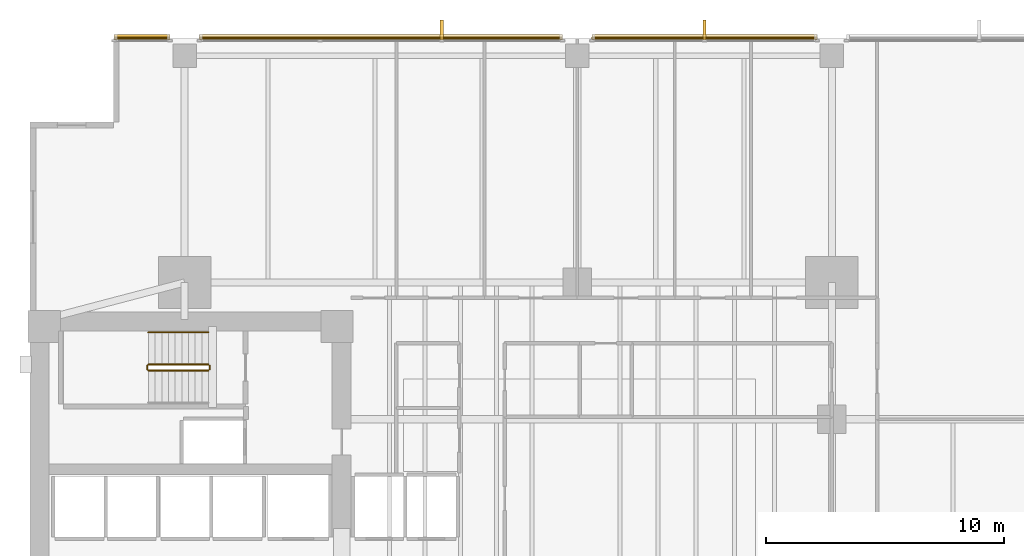
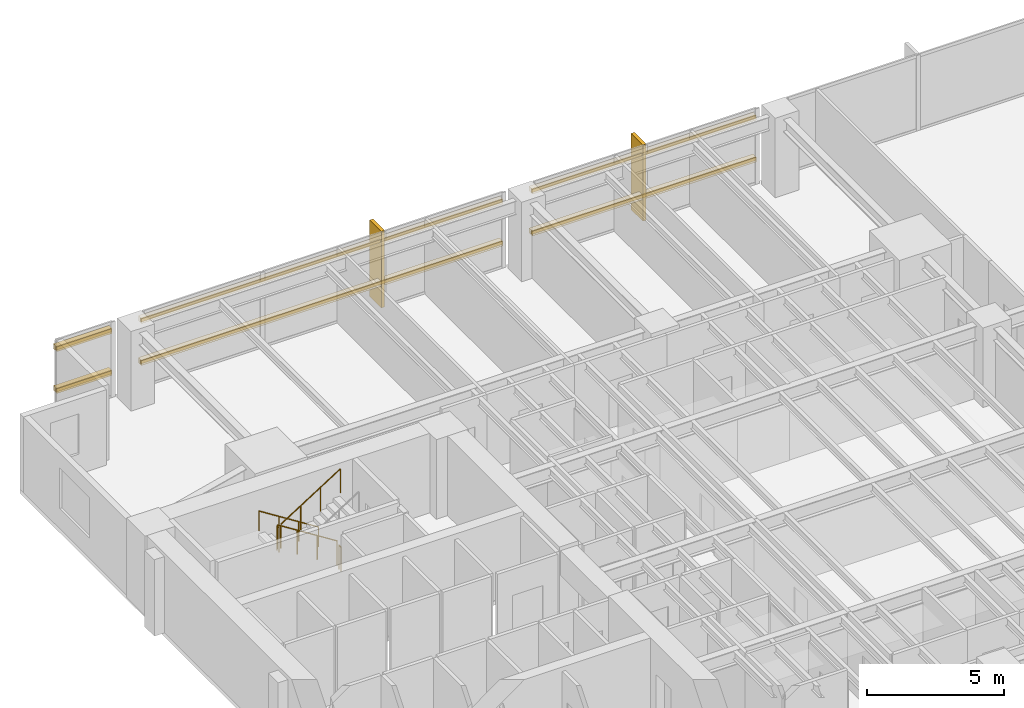
# One storey, part 14 of 15: 8 coverings, 6 shading devices, 5 railings.
"""IFC4 building model written with IfcOpenShell, lengths in metres."""

from ifc_helpers import new_model, si_unit, direction, frame, origin, origin_2d, place, context, subcontext, project, spatial, polyline, rectangle, circle, outline, extrude, material, layer, layer_set, material_profile, profile_set, type_object, element, save


model = new_model("IFC4")

# Units and contexts
model_context = context("Model", 3, precision=1e-05, world=origin(), true_north=direction((0.0, 1.0)))
body_context = subcontext(model_context, "Body", "Model", "MODEL_VIEW")
ifc_project = project(units=[si_unit("LENGTHUNIT", "METRE"), si_unit("AREAUNIT", "SQUARE_METRE"), si_unit("VOLUMEUNIT", "CUBIC_METRE"), si_unit("PLANEANGLEUNIT", "RADIAN"), si_unit("MASSUNIT", "GRAM", prefix="KILO")], contexts=[model_context])

# Site, building, storey
site_placement = place(None, origin())
site = spatial("IfcSite", under=ifc_project, at=site_placement, CompositionType="ELEMENT")
building_placement = place(site_placement, origin())
building = spatial("IfcBuilding", under=site, at=building_placement, Name="Kinhvarn Gate Tower", CompositionType="ELEMENT")
storey_placement = place(building_placement, frame((0.0, 0.0, 50.449951171875)))
storey = spatial("IfcBuildingStorey", under=building, at=storey_placement, Name="L12", CompositionType="ELEMENT", Elevation=50.449951171875)

# Coverings
ifc_material_1 = material(Name="Fired architectural terracotta", Category="masonry")
ifc_layer_1 = layer(ifc_material_1, 0.239990234375)
ifc_layer_set_1 = layer_set([ifc_layer_1], Name="Fired architectural terracotta")
covering_type_1 = type_object("IfcCoveringType", Name="COV-BAG-220", PredefinedType="CLADDING", material=ifc_layer_set_1)
covering_1_placement = place(storey_placement, frame((0.0, 0.0, 0.93994140625)))
element("IfcCovering", 1, at=covering_1_placement, inside=storey, type_object=covering_type_1, Name="Terracotta Horizontal Sunscreen Band TBG-220 (L12)", PredefinedType="CLADDING", context=body_context, shape_type="SweptSolid", body=[
    extrude(outline(polyline([(37.580078125, 47.93994140625), (28.1201171875, 47.93994140625), (28.1201171875, 48.179931640625), (37.580078125, 48.179931640625), (37.580078125, 47.93994140625)])), origin(), (0.0, 0.0, 1.0), 0.22021484375),
])
covering_2_placement = place(storey_placement, frame((0.0, 0.0, 2.81005859375)))
element("IfcCovering", 2, at=covering_2_placement, inside=storey, type_object=covering_type_1, Name="Terracotta Horizontal Sunscreen Band TBG-220 (L12)", PredefinedType="CLADDING", context=body_context, shape_type="SweptSolid", body=[
    extrude(outline(polyline([(37.580078125, 47.93994140625), (28.1201171875, 47.93994140625), (28.1201171875, 48.179931640625), (37.580078125, 48.179931640625), (37.580078125, 47.93994140625)])), origin(), (0.0, 0.0, 1.0), 0.219970703125),
])
covering_3_placement = place(storey_placement, frame((0.0, 0.0, 0.93994140625)))
element("IfcCovering", 3, at=covering_3_placement, inside=storey, type_object=covering_type_1, Name="Terracotta Horizontal Sunscreen Band TBG-220 (L12)", PredefinedType="CLADDING", context=body_context, shape_type="SweptSolid", body=[
    extrude(outline(polyline([(26.8798828125, 47.93994140625), (11.6201171875, 47.93994140625), (11.6201171875, 48.179931640625), (26.8798828125, 48.179931640625), (26.8798828125, 47.93994140625)])), origin(), (0.0, 0.0, 1.0), 0.22021484375),
])
covering_4_placement = place(storey_placement, frame((0.0, 0.0, 2.81005859375)))
element("IfcCovering", 4, at=covering_4_placement, inside=storey, type_object=covering_type_1, Name="Terracotta Horizontal Sunscreen Band TBG-220 (L12)", PredefinedType="CLADDING", context=body_context, shape_type="SweptSolid", body=[
    extrude(outline(polyline([(26.8798828125, 47.93994140625), (11.6201171875, 47.93994140625), (11.6201171875, 48.179931640625), (26.8798828125, 48.179931640625), (26.8798828125, 47.93994140625)])), origin(), (0.0, 0.0, 1.0), 0.219970703125),
])
covering_5_placement = place(storey_placement, frame((0.0, 0.0, 0.93994140625)))
element("IfcCovering", 5, at=covering_5_placement, inside=storey, type_object=covering_type_1, Name="Terracotta Horizontal Sunscreen Band TBG-220 (L12)", PredefinedType="CLADDING", context=body_context, shape_type="SweptSolid", body=[
    extrude(outline(polyline([(10.3798828125, 47.93994140625), (8.0400390625, 47.93994140625), (8.0400390625, 48.179931640625), (10.3798828125, 48.179931640625), (10.3798828125, 47.93994140625)])), origin(), (0.0, 0.0, 1.0), 0.22021484375),
])
covering_6_placement = place(storey_placement, frame((0.0, 0.0, 2.81005859375)))
element("IfcCovering", 6, at=covering_6_placement, inside=storey, type_object=covering_type_1, Name="Terracotta Horizontal Sunscreen Band TBG-220 (L12)", PredefinedType="CLADDING", context=body_context, shape_type="SweptSolid", body=[
    extrude(outline(polyline([(10.3798828125, 47.93994140625), (8.0400390625, 47.93994140625), (8.0400390625, 48.179931640625), (10.3798828125, 48.179931640625), (10.3798828125, 47.93994140625)])), origin(), (0.0, 0.0, 1.0), 0.219970703125),
])
ifc_layer_2 = layer(ifc_material_1, 0.139892578125)
ifc_layer_set_2 = layer_set([ifc_layer_2], Name="Fired architectural terracotta")
covering_type_2 = type_object("IfcCoveringType", Name="COV-FIN-850", PredefinedType="CLADDING", material=ifc_layer_set_2)
covering_7_placement = place(storey_placement, frame((0.0, 0.0, -0.02001953125)))
element("IfcCovering", 7, at=covering_7_placement, inside=storey, type_object=covering_type_2, Name="Vertical Terracotta Expressive Fin TFN-850 (L12)", PredefinedType="CLADDING", context=body_context, shape_type="SweptSolid", body=[
    extrude(outline(polyline([(32.919921875, 47.929931640625), (32.780029296875, 47.929931640625), (32.780029296875, 48.780029296875), (32.919921875, 48.780029296875), (32.919921875, 47.929931640625)])), origin(), (0.0, 0.0, 1.0), 3.41015625),
])
covering_8_placement = place(storey_placement, frame((0.0, 0.0, -0.02001953125)))
element("IfcCovering", 8, at=covering_8_placement, inside=storey, type_object=covering_type_2, Name="Vertical Terracotta Expressive Fin TFN-850 (L12)", PredefinedType="CLADDING", context=body_context, shape_type="SweptSolid", body=[
    extrude(outline(polyline([(21.876708984375, 47.929931640625), (21.73681640625, 47.929931640625), (21.73681640625, 48.780029296875), (21.876708984375, 48.780029296875), (21.876708984375, 47.929931640625)])), origin(), (0.0, 0.0, 1.0), 3.41015625),
])

# Railings
ifc_material_2 = material(Name="Steel S355", Category="steel")
railing_type_1 = type_object("IfcRailingType", Name="RL-ST-GRD", PredefinedType="BALUSTRADE", material=ifc_material_2)
railing_1_placement = place(storey_placement, frame((12.0, 34.300048828125, 0.177490234375)))
element("IfcRailing", 9, at=railing_1_placement, inside=storey, type_object=railing_type_1, Name="L12 ST2 stair guard 1", PredefinedType="BALUSTRADE", context=body_context, shape_type="SweptSolid", body=[
    extrude(circle(Radius=0.02392578125, at=origin_2d()), frame((0.0, 0.0, 1.076171875), z_axis=(-0.84456994832, 0.0, 0.535445237532), x_axis=(0.0, -1.0, 0.0)), (0.0, 0.0, 1.0), 2.98388671875),
    extrude(circle(Radius=0.02099609375, at=origin_2d()), origin(), (0.0, 0.0, 1.0), 1.052001953125),
    extrude(circle(Radius=0.02099609375, at=origin_2d()), frame((-0.840087890625, 0.0, 0.532470703125)), (0.0, 0.0, 1.0), 1.052001953125),
    extrude(circle(Radius=0.02099609375, at=origin_2d()), frame((-1.679931640625, 0.0, 1.065185546875)), (0.0, 0.0, 1.0), 1.052001953125),
    extrude(circle(Radius=0.02099609375, at=origin_2d()), frame((-2.52001953125, 0.0, 1.59765625)), (0.0, 0.0, 1.0), 1.052001953125),
])
railing_2_placement = place(storey_placement, frame((9.429931640625, 34.25, 1.775146484375)))
element("IfcRailing", 10, at=railing_2_placement, inside=storey, type_object=railing_type_1, Name="L12 ST2 stair guard 2", PredefinedType="BALUSTRADE", context=body_context, shape_type="SweptSolid", body=[
    extrude(circle(Radius=0.02392578125, at=origin_2d()), frame((0.0, 0.0, 1.076171875), z_axis=(0.0, -1.0, 0.0), x_axis=(1.0, 0.0, 0.0)), (0.0, 0.0, 1.0), 0.14990234375),
    extrude(circle(Radius=0.02099609375, at=origin_2d()), origin(), (0.0, 0.0, 1.0), 1.052001953125),
    extrude(circle(Radius=0.02099609375, at=origin_2d()), frame((0.0, -0.14990234375, 0.0)), (0.0, 0.0, 1.0), 1.052001953125),
])
railing_3_placement = place(storey_placement, frame((9.47998046875, 34.050048828125, 1.95263671875)))
element("IfcRailing", 11, at=railing_3_placement, inside=storey, type_object=railing_type_1, Name="L12 ST2 stair guard 3", PredefinedType="BALUSTRADE", context=body_context, shape_type="SweptSolid", body=[
    extrude(circle(Radius=0.02392578125, at=origin_2d()), frame((0.0, 0.0, 1.076171875), z_axis=(0.84460694969, 0.0, 0.535386869969), x_axis=(0.0, 1.0, 0.0)), (0.0, 0.0, 1.0), 2.983642578125),
    extrude(circle(Radius=0.02099609375, at=origin_2d()), origin(), (0.0, 0.0, 1.0), 1.052001953125),
    extrude(circle(Radius=0.02099609375, at=origin_2d()), frame((0.840087890625, 0.0, 0.532470703125)), (0.0, 0.0, 1.0), 1.052001953125),
    extrude(circle(Radius=0.02099609375, at=origin_2d()), frame((1.679931640625, 0.0, 1.06494140625)), (0.0, 0.0, 1.0), 1.052001953125),
    extrude(circle(Radius=0.02099609375, at=origin_2d()), frame((2.52001953125, 0.0, 1.597412109375)), (0.0, 0.0, 1.0), 1.052001953125),
])
railing_4_placement = place(storey_placement, frame((12.050048828125, 34.25, 0.0)))
element("IfcRailing", 12, at=railing_4_placement, inside=storey, type_object=railing_type_1, Name="L12 ST2 stair guard 4", PredefinedType="BALUSTRADE", context=body_context, shape_type="SweptSolid", body=[
    extrude(circle(Radius=0.02392578125, at=origin_2d()), frame((0.0, 0.0, 1.076171875), z_axis=(0.0, -1.0, 0.0), x_axis=(1.0, 0.0, 0.0)), (0.0, 0.0, 1.0), 0.14990234375),
    extrude(circle(Radius=0.02099609375, at=origin_2d()), origin(), (0.0, 0.0, 1.0), 1.052001953125),
    extrude(circle(Radius=0.02099609375, at=origin_2d()), frame((0.0, -0.14990234375, 0.0)), (0.0, 0.0, 1.0), 1.052001953125),
])
railing_type_2 = type_object("IfcRailingType", Name="RL-ST-HND", PredefinedType="HANDRAIL", material=ifc_material_2)
railing_5_placement = place(storey_placement, frame((12.0, 35.64990234375, 0.177490234375)))
element("IfcRailing", 13, at=railing_5_placement, inside=storey, type_object=railing_type_2, Name="L12 ST2 stair handrail 1", PredefinedType="HANDRAIL", context=body_context, shape_type="SweptSolid", body=[
    extrude(circle(Radius=0.02392578125, at=origin_2d()), frame((0.0, 0.0, 0.8759765625), z_axis=(-0.84456994832, 0.0, 0.535445237532), x_axis=(0.0, -1.0, 0.0)), (0.0, 0.0, 1.0), 2.98388671875),
    extrude(circle(Radius=0.02099609375, at=origin_2d()), origin(), (0.0, 0.0, 1.0), 0.851806640625),
    extrude(circle(Radius=0.02099609375, at=origin_2d()), frame((-0.840087890625, 0.0, 0.532470703125)), (0.0, 0.0, 1.0), 0.851806640625),
    extrude(circle(Radius=0.02099609375, at=origin_2d()), frame((-1.679931640625, 0.0, 1.065185546875)), (0.0, 0.0, 1.0), 0.851806640625),
    extrude(circle(Radius=0.02099609375, at=origin_2d()), frame((-2.52001953125, 0.0, 1.59765625)), (0.0, 0.0, 1.0), 0.851806640625),
])

# Shading devices
ifc_material_profile = material_profile(ifc_material_1, rectangle(XDim=0.06005859375, YDim=0.139892578125, at=origin_2d()), Name="TC 60x140")
ifc_profile_set = profile_set([ifc_material_profile], Name="Fired architectural terracotta")
shading_device_type = type_object("IfcShadingDeviceType", Name="SHD-BAG-180", PredefinedType="USERDEFINED", material=ifc_profile_set)
for number, where, z_axis, x_axis, name in (
    (14, (37.580078125, 48.014892578125, 1.050048828125), (-1.0, 0.0, 0.0), (0.0, -1.0, 0.0), "Fired Terracotta Baguette Screen Rod 60x140 mm (L12)"),
    (15, (37.580078125, 48.014892578125, 2.920166015625), (-1.0, 0.0, 0.0), (0.0, -1.0, 0.0), "Fired Terracotta Baguette Screen Rod 60x140 mm (L12)"),
):
    element("IfcShadingDevice", number, at=place(storey_placement, frame(where, z_axis=z_axis, x_axis=x_axis)), inside=storey, type_object=shading_device_type, Name=name, ObjectType="BAGUETTE", PredefinedType="USERDEFINED", context=body_context, shape_type="SweptSolid", body=[
        extrude(rectangle(XDim=0.06005859375, YDim=0.139892578125, at=origin_2d()), origin(), (0.0, 0.0, 1.0), 9.4599609375),
    ])
for number, where, z_axis, x_axis, name in (
    (16, (26.8798828125, 48.014892578125, 1.050048828125), (-1.0, 0.0, 0.0), (0.0, -1.0, 0.0), "Fired Terracotta Baguette Screen Rod 60x140 mm (L12)"),
    (17, (26.8798828125, 48.014892578125, 2.920166015625), (-1.0, 0.0, 0.0), (0.0, -1.0, 0.0), "Fired Terracotta Baguette Screen Rod 60x140 mm (L12)"),
):
    element("IfcShadingDevice", number, at=place(storey_placement, frame(where, z_axis=z_axis, x_axis=x_axis)), inside=storey, type_object=shading_device_type, Name=name, ObjectType="BAGUETTE", PredefinedType="USERDEFINED", context=body_context, shape_type="SweptSolid", body=[
        extrude(rectangle(XDim=0.06005859375, YDim=0.139892578125, at=origin_2d()), origin(), (0.0, 0.0, 1.0), 15.259765625),
    ])
for number, where, z_axis, x_axis, name in (
    (18, (10.3798828125, 48.014892578125, 1.050048828125), (-1.0, 0.0, 0.0), (0.0, -1.0, 0.0), "Fired Terracotta Baguette Screen Rod 60x140 mm (L12)"),
    (19, (10.3798828125, 48.014892578125, 2.920166015625), (-1.0, 0.0, 0.0), (0.0, -1.0, 0.0), "Fired Terracotta Baguette Screen Rod 60x140 mm (L12)"),
):
    element("IfcShadingDevice", number, at=place(storey_placement, frame(where, z_axis=z_axis, x_axis=x_axis)), inside=storey, type_object=shading_device_type, Name=name, ObjectType="BAGUETTE", PredefinedType="USERDEFINED", context=body_context, shape_type="SweptSolid", body=[
        extrude(rectangle(XDim=0.06005859375, YDim=0.139892578125, at=origin_2d()), origin(), (0.0, 0.0, 1.0), 2.33984375),
    ])

save(model, "model.ifc")
